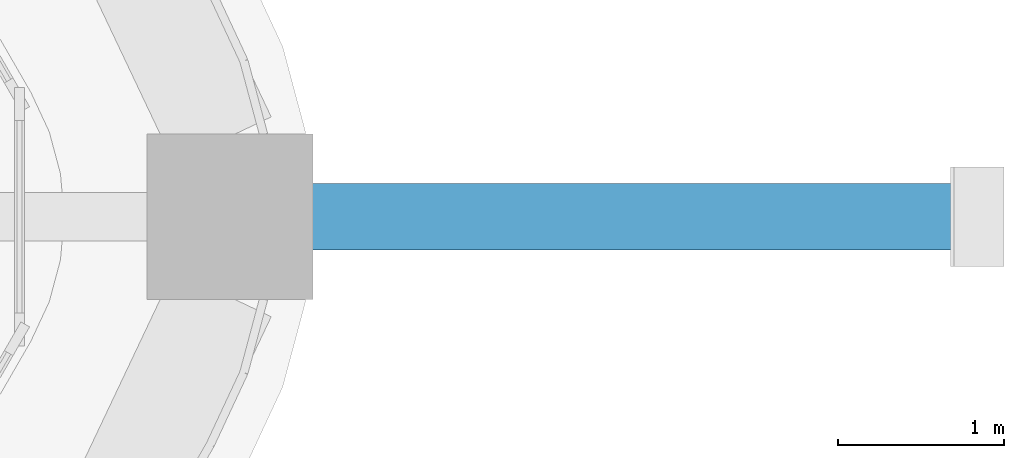
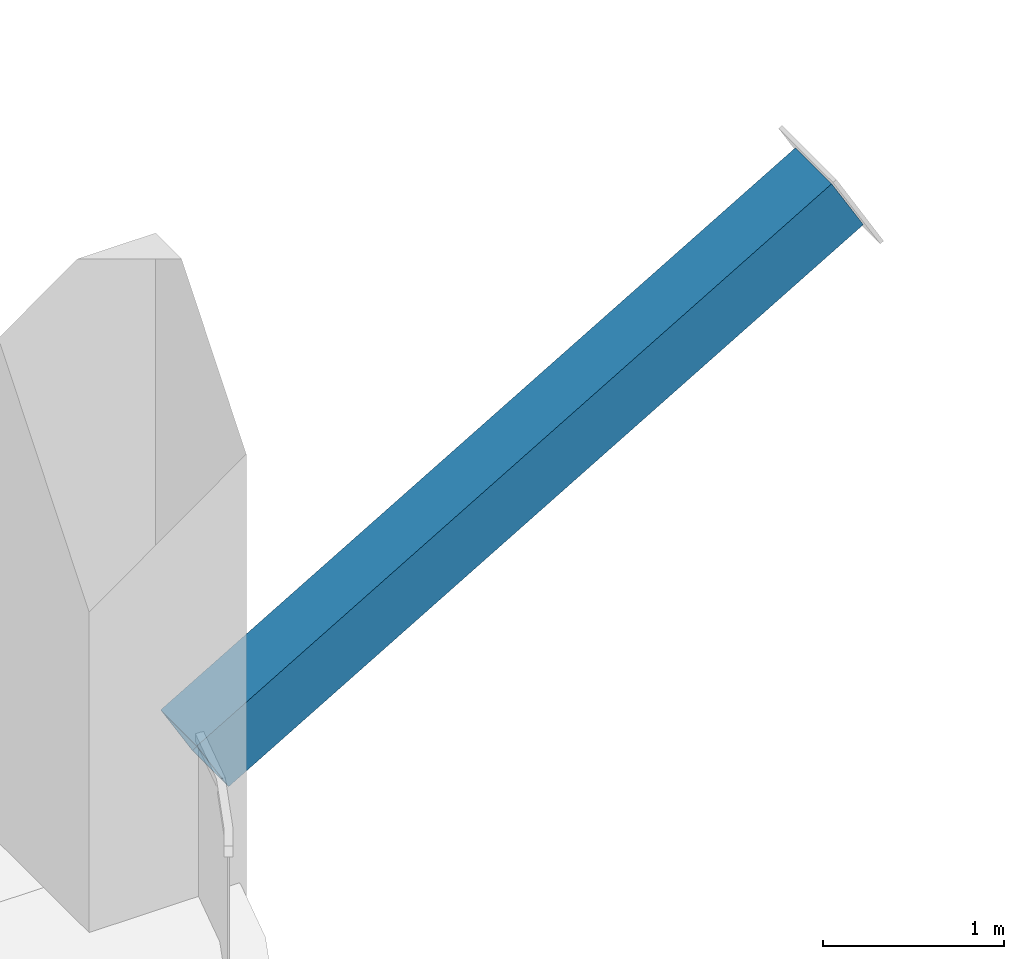
# One storey, part 5 of 16: 1 member.
"""IFC4 building model written with IfcOpenShell, lengths in metres."""

from ifc_helpers import new_model, si_unit, direction, frame, origin, origin_2d, place, context, subcontext, project, spatial, hollow_rectangle, extrude, material, material_profile, profile_set, type_object, element, save


model = new_model("IFC4")

# Units and contexts
model_context = context("Model", 3, precision=1e-05, world=origin(), true_north=direction((0.0, 1.0)))
body_context = subcontext(model_context, "Body", "Model", "MODEL_VIEW")
ifc_project = project(units=[si_unit("LENGTHUNIT", "METRE"), si_unit("AREAUNIT", "SQUARE_METRE"), si_unit("VOLUMEUNIT", "CUBIC_METRE"), si_unit("PLANEANGLEUNIT", "RADIAN"), si_unit("MASSUNIT", "GRAM", prefix="KILO")], contexts=[model_context])

# Site, building, storey
site_placement = place(None, origin())
site = spatial("IfcSite", under=ifc_project, at=site_placement, CompositionType="ELEMENT")
building_placement = place(site_placement, origin())
building = spatial("IfcBuilding", under=site, at=building_placement, Name="Kolab Exchange Tower", CompositionType="ELEMENT")
storey_placement = place(building_placement, frame((0.0, 0.0, 177.800048828125)))
storey = spatial("IfcBuildingStorey", under=building, at=storey_placement, Name="L37", CompositionType="ELEMENT", Elevation=177.800048828125)

# Member
ifc_material = material(Name="Steel S355", Category="steel")
ifc_material_profile = material_profile(ifc_material, hollow_rectangle(XDim=0.39990234375, YDim=0.39990234375, WallThickness=0.02001953125, at=origin_2d()), Name="HSS400X400X20")
ifc_profile_set = profile_set([ifc_material_profile], Name="Steel S355")
member_type = type_object("IfcMemberType", Name="LEDGE STRUT HSS400X400X20", PredefinedType="STRUT", material=ifc_profile_set)
member_placement = place(storey_placement, frame((28.2958984375, 0.0, 0.599853515625), z_axis=(0.862710518859, 0.0, 0.505698092394), x_axis=(0.0, 1.0, 0.0)))
element("IfcMember", 1, at=member_placement, inside=storey, type_object=member_type, Name="mem/L37/ledge/strut-3", PredefinedType="STRUT", context=body_context, shape_type="SweptSolid", body=[
    extrude(hollow_rectangle(XDim=0.39990234375, YDim=0.39990234375, WallThickness=0.02001953125, at=origin_2d()), origin(), (0.0, 0.0, 1.0), 4.682861328125),
])

save(model, "model.ifc")
